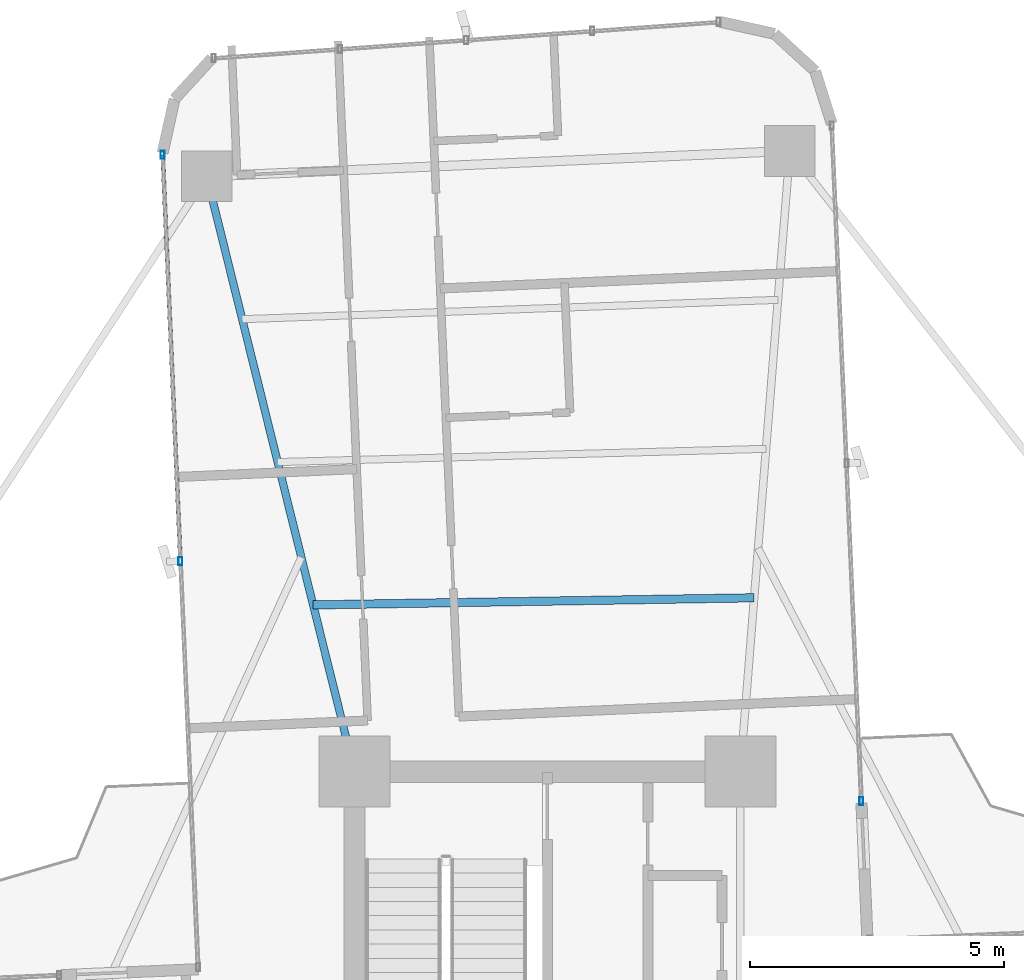
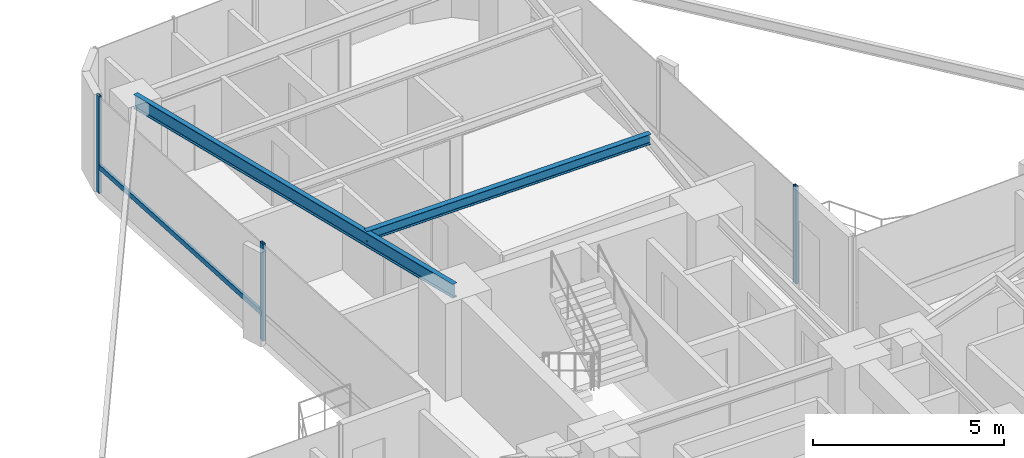
# One storey, part 17 of 26: 4 members, 2 beams, 2 elements without a shape of their own.
"""IFC4 building model written with IfcOpenShell, lengths in metres."""

from ifc_helpers import new_model, si_unit, direction, frame, origin, origin_2d, place, context, subcontext, project, spatial, hollow_rectangle, i_section, extrude, source, transform, mapped, material, material_profile, profile_set, type_object, element, aggregate, save


model = new_model("IFC4")

# Units and contexts
model_context = context("Model", 3, precision=1e-05, world=origin(), true_north=direction((0.0, 1.0)))
body_context = subcontext(model_context, "Body", "Model", "MODEL_VIEW")
ifc_project = project(units=[si_unit("LENGTHUNIT", "METRE"), si_unit("AREAUNIT", "SQUARE_METRE"), si_unit("VOLUMEUNIT", "CUBIC_METRE"), si_unit("PLANEANGLEUNIT", "RADIAN"), si_unit("MASSUNIT", "GRAM", prefix="KILO")], contexts=[model_context])

# Site, building, storey
site_placement = place(None, origin())
site = spatial("IfcSite", under=ifc_project, at=site_placement, CompositionType="ELEMENT")
building_placement = place(site_placement, origin())
building = spatial("IfcBuilding", under=site, at=building_placement, Name="Sahyath Konkavel Grand Hotel", CompositionType="ELEMENT")
storey_placement = place(building_placement, frame((0.0, 0.0, 128.199951171875)))
storey = spatial("IfcBuildingStorey", under=building, at=storey_placement, Name="L35", CompositionType="ELEMENT", Elevation=128.199951171875)

# Beams
ifc_material_1 = material(Name="Steel E350", Category="steel")
ifc_material_profile_1 = material_profile(ifc_material_1, i_section(OverallWidth=0.14990234375, OverallDepth=0.449951171875, WebThickness=0.009521484375, FlangeThickness=0.017333984375, FilletRadius=0.014892578125, at=origin_2d()), Name="ISMB 450")
ifc_profile_set_1 = profile_set([ifc_material_profile_1], Name="Steel E350")
beam_type_1 = type_object("IfcBeamType", Name="BM-ISMB450", PredefinedType="BEAM", material=ifc_profile_set_1)
shared_shape_1 = source(origin(), body_context, "Body", "SweptSolid", [
    extrude(i_section(OverallWidth=0.14990234375, OverallDepth=0.449951171875, WebThickness=0.009521484375, FlangeThickness=0.017333984375, FilletRadius=0.014892578125, at=origin_2d()), origin(), (0.0, 0.0, 1.0), 12.084228515625),
])
beam_1_placement = place(storey_placement, frame((-3.800048828125, 10.199951171875, 2.885009765625), z_axis=(-0.241042688481, 0.970514514229, 0.0), x_axis=(-0.970514514229, -0.241042688481, 0.0)))
element("IfcBeam", 1, at=beam_1_placement, inside=storey, type_object=beam_type_1, Name="L35 Cruciform Radial Girder NB", PredefinedType="BEAM", context=body_context, shape_type="MappedRepresentation", body=[
    mapped(shared_shape_1, transform((0.0, 0.0, 0.0), scale=1.0)),
])
ifc_material_profile_2 = material_profile(ifc_material_1, i_section(OverallWidth=0.1650390625, OverallDepth=0.324951171875, WebThickness=0.007080078125, FlangeThickness=0.009765625, FilletRadius=0.014892578125, at=origin_2d()), Name="ISLB 325")
ifc_profile_set_2 = profile_set([ifc_material_profile_2], Name="Steel E350")
beam_type_2 = type_object("IfcBeamType", Name="BM-ISLB325", PredefinedType="BEAM", material=ifc_profile_set_2)
shared_shape_2 = source(origin(), body_context, "Body", "SweptSolid", [
    extrude(i_section(OverallWidth=0.1650390625, OverallDepth=0.324951171875, WebThickness=0.007080078125, FlangeThickness=0.009765625, FilletRadius=0.014892578125, at=origin_2d()), origin(), (0.0, 0.0, 1.0), 8.68994140625),
])
beam_2_placement = place(storey_placement, frame((4.0732421875, 13.624267578125, 2.947509765625), z_axis=(-0.999869506431, -0.016154569283, 0.0), x_axis=(0.016154569283, -0.999869506431, 0.0)))
element("IfcBeam", 2, at=beam_2_placement, inside=storey, type_object=beam_type_2, Name="L35 Secondary Floor Beam N-1", PredefinedType="BEAM", context=body_context, shape_type="MappedRepresentation", body=[
    mapped(shared_shape_2, transform((0.0, 0.0, 0.0), scale=1.0)),
])

# Curtain wall, member
ifc_material_2 = material(Name="Anodised Bronze Aluminium & Low-E Glazing", Category="aluminium")
curtain_wall_type = type_object("IfcCurtainWallType", Name="CW-ZONE2", PredefinedType="NOTDEFINED", material=ifc_material_2)
curtain_wall_1_placement = place(storey_placement, origin())
curtain_wall_1 = element("IfcCurtainWall", 3, at=curtain_wall_1_placement, inside=storey, type_object=curtain_wall_type, Name="L35 Unitised Curtain Wall F8", PredefinedType="NOTDEFINED")
ifc_material_3 = material(Name="Anodised Bronze Aluminium", Category="aluminium")
ifc_material_profile_3 = material_profile(ifc_material_3, hollow_rectangle(XDim=0.080078125, YDim=0.159912109375, WallThickness=0.006103515625, at=origin_2d()), Name="RHS 160x80x6")
ifc_profile_set_3 = profile_set([ifc_material_profile_3], Name="Anodised Bronze Aluminium")
member_type_1 = type_object("IfcMemberType", Name="CW-MUL-160", PredefinedType="MULLION", material=ifc_profile_set_3)
shared_shape_3 = source(origin(), body_context, "Body", "SweptSolid", [
    extrude(hollow_rectangle(XDim=0.080078125, YDim=0.159912109375, WallThickness=0.006103515625, at=origin_2d()), origin(), (0.0, 0.0, 1.0), 3.110107421875),
])
member_1_placement = place(storey_placement, frame((6.186279296875, 9.618896484375, 0.0), z_axis=(0.0, 0.0, 1.0), x_axis=(1.0, 0.0, 0.0)))
member_1 = element("IfcMember", 4, at=member_1_placement, type_object=member_type_1, Name="L35 Curtain Wall Mullion F8-0", PredefinedType="MULLION", context=body_context, shape_type="MappedRepresentation", body=[
    mapped(shared_shape_3, transform((0.0, 0.0, 0.0), scale=1.0)),
])
aggregate(curtain_wall_1, [member_1])

# Curtain wall, members
curtain_wall_2_placement = place(storey_placement, origin())
curtain_wall_2 = element("IfcCurtainWall", 5, at=curtain_wall_2_placement, inside=storey, type_object=curtain_wall_type, Name="L35 Unitised Curtain Wall F15", PredefinedType="NOTDEFINED")
member_2_placement = place(storey_placement, frame((-7.582275390625, 22.3505859375, 0.0), z_axis=(0.0, 0.0, 1.0), x_axis=(1.0, 0.0, 0.0)))
member_2 = element("IfcMember", 6, at=member_2_placement, type_object=member_type_1, Name="L35 Curtain Wall Mullion F15-0", PredefinedType="MULLION", context=body_context, shape_type="MappedRepresentation", body=[
    mapped(shared_shape_3, transform((0.0, 0.0, 0.0), scale=1.0)),
])
member_3_placement = place(storey_placement, frame((-7.232666015625, 14.34814453125, 0.0), z_axis=(0.0, 0.0, 1.0), x_axis=(1.0, 0.0, 0.0)))
member_3 = element("IfcMember", 7, at=member_3_placement, type_object=member_type_1, Name="L35 Curtain Wall Mullion F15-1", PredefinedType="MULLION", context=body_context, shape_type="MappedRepresentation", body=[
    mapped(shared_shape_3, transform((0.0, 0.0, 0.0), scale=1.0)),
])
ifc_material_profile_4 = material_profile(ifc_material_3, hollow_rectangle(XDim=0.080078125, YDim=0.159912109375, WallThickness=0.006103515625, at=origin_2d()), Name="RHS 160x80x6")
ifc_profile_set_4 = profile_set([ifc_material_profile_4], Name="Anodised Bronze Aluminium")
member_type_2 = type_object("IfcMemberType", Name="CW-TRN-160", PredefinedType="USERDEFINED", material=ifc_profile_set_4)
shared_shape_4 = source(origin(), body_context, "Body", "SweptSolid", [
    extrude(hollow_rectangle(XDim=0.080078125, YDim=0.159912109375, WallThickness=0.006103515625, at=origin_2d()), origin(), (0.0, 0.0, 1.0), 8.010009765625),
])
member_4_placement = place(storey_placement, frame((-7.582275390625, 22.3505859375, 0.85009765625), z_axis=(0.043646207089, -0.999047050247, 0.0), x_axis=(0.999047050247, 0.043646207089, 0.0)))
member_4 = element("IfcMember", 8, at=member_4_placement, type_object=member_type_2, Name="L35 Curtain Wall Transom F15-0-spandrel", ObjectType="TRANSOM", PredefinedType="USERDEFINED", context=body_context, shape_type="MappedRepresentation", body=[
    mapped(shared_shape_4, transform((0.0, 0.0, 0.0), scale=1.0)),
])
aggregate(curtain_wall_2, [member_2, member_3, member_4])

save(model, "model.ifc")
